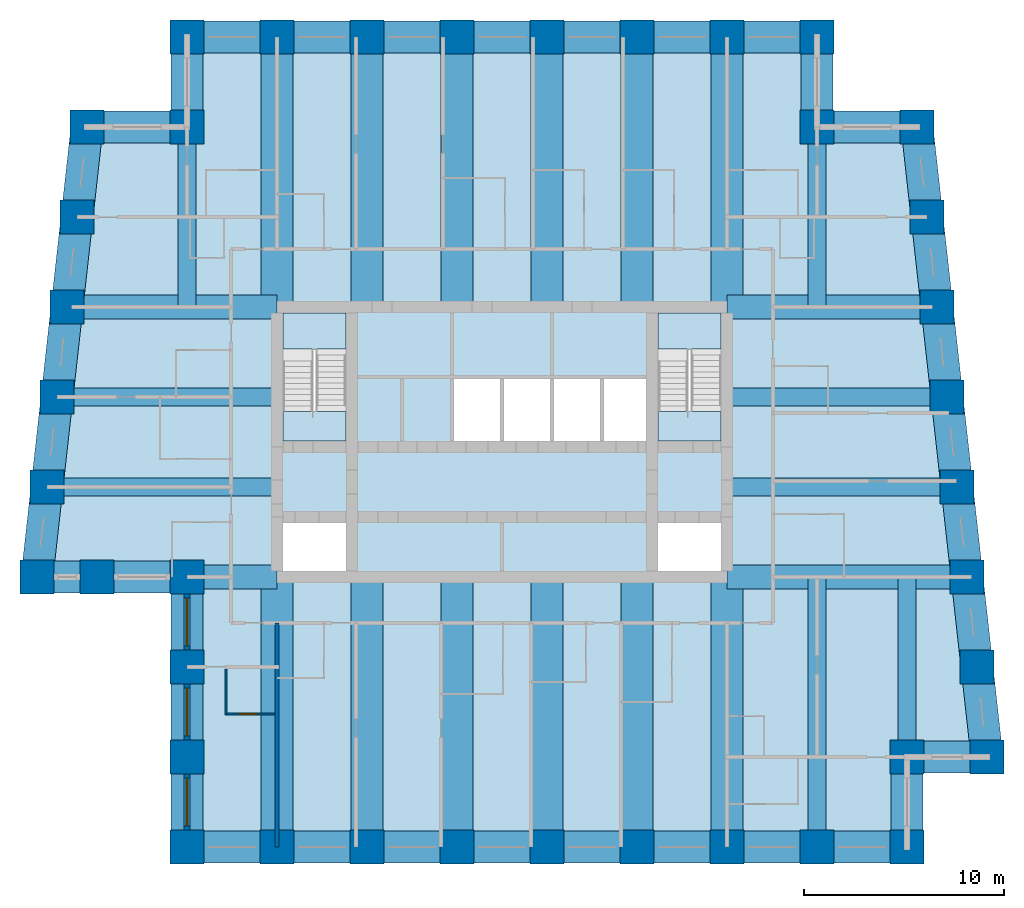
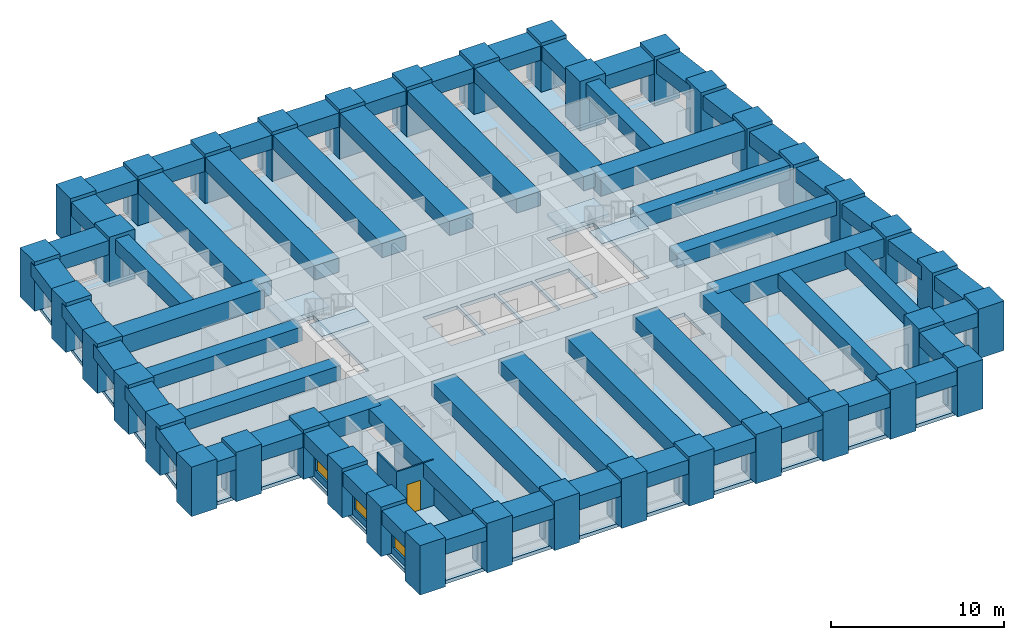
# One storey, part 1 of 8: 62 beams, 38 columns, 5 slabs, 4 walls, 3 windows, 1 door, 4 openings, 2 elements without a shape of their own.
"""IFC4 building model written with IfcOpenShell, lengths in metres."""

from ifc_helpers import new_model, si_unit, direction, frame, frame_2d, origin, origin_2d, place, context, subcontext, project, spatial, polyline, rectangle, outline, extrude, material, layer, layer_set, material_profile, profile_set, type_object, element, fill, aggregate, save


model = new_model("IFC4")

# Units and contexts
model_context = context("Model", 3, precision=1e-05, world=origin(), true_north=direction((0.0, 1.0)))
body_context = subcontext(model_context, "Body", "Model", "MODEL_VIEW")
ifc_project = project(units=[si_unit("LENGTHUNIT", "METRE"), si_unit("AREAUNIT", "SQUARE_METRE"), si_unit("VOLUMEUNIT", "CUBIC_METRE"), si_unit("PLANEANGLEUNIT", "RADIAN"), si_unit("MASSUNIT", "GRAM", prefix="KILO")], contexts=[model_context])

# Site, building, storey
site_placement = place(None, origin())
site = spatial("IfcSite", under=ifc_project, at=site_placement, CompositionType="ELEMENT")
building_placement = place(site_placement, origin())
building = spatial("IfcBuilding", under=site, at=building_placement, Name="Kilele Tower Hotel", CompositionType="ELEMENT")
storey_placement = place(building_placement, frame((0.0, 0.0, 172.89990234375)))
storey = spatial("IfcBuildingStorey", under=building, at=storey_placement, Name="L44", CompositionType="ELEMENT", Elevation=172.89990234375)

# Columns
ifc_material_1 = material(Name="Concrete C60/75", Category="concrete")
ifc_material_profile_1 = material_profile(ifc_material_1, rectangle(XDim=1.699951171875, YDim=1.699951171875, at=origin_2d()))
ifc_profile_set_1 = profile_set([ifc_material_profile_1], Name="Concrete C60/75")
column_type = type_object("IfcColumnType", Name="Tube column RC 1700x1700 C60/75", PredefinedType="COLUMN", material=ifc_profile_set_1)
for number, where, z_axis, x_axis, name in (
    (1, (1.5, 13.5, 0.0), (0.0, 0.0, 1.0), (1.0, 0.0, 0.0), "Column TC4 L44"),
    (2, (4.5, 13.5, 0.0), (0.0, 0.0, 1.0), (1.0, 0.0, 0.0), "Column TC4 L44"),
    (3, (9.0, 13.5, 0.0), (0.0, 0.0, 1.0), (1.0, 0.0, 0.0), "Column TC4 L44"),
    (4, (9.0, 9.0, 0.0), (0.0, 0.0, 1.0), (1.0, 0.0, 0.0), "Column TC4 L44"),
    (5, (9.0, 4.5, 0.0), (0.0, 0.0, 1.0), (1.0, 0.0, 0.0), "Column TC4 L44"),
    (6, (9.0, 0.0, 0.0), (0.0, 0.0, 1.0), (1.0, 0.0, 0.0), "Column TC4 L44"),
    (7, (13.5, 0.0, 0.0), (0.0, 0.0, 1.0), (1.0, 0.0, 0.0), "Column TC4 L44"),
    (8, (18.0, 0.0, 0.0), (0.0, 0.0, 1.0), (1.0, 0.0, 0.0), "Column TC4 L44"),
    (9, (22.5, 0.0, 0.0), (0.0, 0.0, 1.0), (1.0, 0.0, 0.0), "Column TC4 L44"),
    (10, (27.0, 0.0, 0.0), (0.0, 0.0, 1.0), (1.0, 0.0, 0.0), "Column TC4 L44"),
    (11, (31.5, 0.0, 0.0), (0.0, 0.0, 1.0), (1.0, 0.0, 0.0), "Column TC4 L44"),
    (12, (36.0, 0.0, 0.0), (0.0, 0.0, 1.0), (1.0, 0.0, 0.0), "Column TC4 L44"),
    (13, (40.5, 0.0, 0.0), (0.0, 0.0, 1.0), (1.0, 0.0, 0.0), "Column TC4 L44"),
    (14, (45.0, 0.0, 0.0), (0.0, 0.0, 1.0), (1.0, 0.0, 0.0), "Column TC4 L44"),
    (15, (45.0, 4.5, 0.0), (0.0, 0.0, 1.0), (1.0, 0.0, 0.0), "Column TC4 L44"),
    (16, (49.0, 4.5, 0.0), (0.0, 0.0, 1.0), (1.0, 0.0, 0.0), "Column TC4 L44"),
    (17, (48.5, 9.0, 0.0), (0.0, 0.0, 1.0), (1.0, 0.0, 0.0), "Column TC4 L44"),
    (18, (48.0, 13.5, 0.0), (0.0, 0.0, 1.0), (1.0, 0.0, 0.0), "Column TC4 L44"),
    (19, (47.5, 18.0, 0.0), (0.0, 0.0, 1.0), (1.0, 0.0, 0.0), "Column TC4 L44"),
    (20, (47.0, 22.5, 0.0), (0.0, 0.0, 1.0), (1.0, 0.0, 0.0), "Column TC4 L44"),
    (21, (46.5, 27.0, 0.0), (0.0, 0.0, 1.0), (1.0, 0.0, 0.0), "Column TC4 L44"),
    (22, (46.0, 31.5, 0.0), (0.0, 0.0, 1.0), (1.0, 0.0, 0.0), "Column TC4 L44"),
    (23, (45.5, 36.0, 0.0), (0.0, 0.0, 1.0), (1.0, 0.0, 0.0), "Column TC4 L44"),
    (24, (40.5, 36.0, 0.0), (0.0, 0.0, 1.0), (1.0, 0.0, 0.0), "Column TC4 L44"),
    (25, (40.5, 40.5, 0.0), (0.0, 0.0, 1.0), (1.0, 0.0, 0.0), "Column TC4 L44"),
    (26, (36.0, 40.5, 0.0), (0.0, 0.0, 1.0), (1.0, 0.0, 0.0), "Column TC4 L44"),
    (27, (31.5, 40.5, 0.0), (0.0, 0.0, 1.0), (1.0, 0.0, 0.0), "Column TC4 L44"),
    (28, (27.0, 40.5, 0.0), (0.0, 0.0, 1.0), (1.0, 0.0, 0.0), "Column TC4 L44"),
    (29, (22.5, 40.5, 0.0), (0.0, 0.0, 1.0), (1.0, 0.0, 0.0), "Column TC4 L44"),
    (30, (18.0, 40.5, 0.0), (0.0, 0.0, 1.0), (1.0, 0.0, 0.0), "Column TC4 L44"),
    (31, (13.5, 40.5, 0.0), (0.0, 0.0, 1.0), (1.0, 0.0, 0.0), "Column TC4 L44"),
    (32, (9.0, 40.5, 0.0), (0.0, 0.0, 1.0), (1.0, 0.0, 0.0), "Column TC4 L44"),
    (33, (9.0, 36.0, 0.0), (0.0, 0.0, 1.0), (1.0, 0.0, 0.0), "Column TC4 L44"),
    (34, (4.0, 36.0, 0.0), (0.0, 0.0, 1.0), (1.0, 0.0, 0.0), "Column TC4 L44"),
    (35, (3.5, 31.5, 0.0), (0.0, 0.0, 1.0), (1.0, 0.0, 0.0), "Column TC4 L44"),
    (36, (3.0, 27.0, 0.0), (0.0, 0.0, 1.0), (1.0, 0.0, 0.0), "Column TC4 L44"),
    (37, (2.5, 22.5, 0.0), (0.0, 0.0, 1.0), (1.0, 0.0, 0.0), "Column TC4 L44"),
    (38, (2.0, 18.0, 0.0), (0.0, 0.0, 1.0), (1.0, 0.0, 0.0), "Column TC4 L44"),
):
    element("IfcColumn", number, at=place(storey_placement, frame(where, z_axis=z_axis, x_axis=x_axis)), inside=storey, type_object=column_type, Name=name, PredefinedType="COLUMN", context=body_context, shape_type="SweptSolid", body=[
        extrude(rectangle(XDim=1.699951171875, YDim=1.699951171875, at=origin_2d()), origin(), (0.0, 0.0, 1.0), 3.5),
    ])

# Beams
ifc_material_2 = material(Name="Concrete C60/75", Category="concrete")
ifc_material_profile_2 = material_profile(ifc_material_2, rectangle(XDim=1.60009765625, YDim=1.0, at=origin_2d()))
ifc_profile_set_2 = profile_set([ifc_material_profile_2], Name="Concrete C60/75")
beam_type_1 = type_object("IfcBeamType", Name="Beam RC 1600x1000 C60/75", PredefinedType="BEAM", material=ifc_profile_set_2)
for number, where, z_axis, x_axis, name in (
    (39, (13.5, 0.0, 2.75), (0.0, 1.0, 0.0), (-1.0, 0.0, 0.0), "Beam BC1 level L45"),
    (40, (18.0, 0.0, 2.75), (0.0, 1.0, 0.0), (-1.0, 0.0, 0.0), "Beam BC1 level L45"),
    (41, (22.5, 0.0, 2.75), (0.0, 1.0, 0.0), (-1.0, 0.0, 0.0), "Beam BC1 level L45"),
    (42, (27.0, 0.0, 2.75), (0.0, 1.0, 0.0), (-1.0, 0.0, 0.0), "Beam BC1 level L45"),
    (43, (31.5, 0.0, 2.75), (0.0, 1.0, 0.0), (-1.0, 0.0, 0.0), "Beam BC1 level L45"),
    (44, (36.0, 0.0, 2.75), (0.0, 1.0, 0.0), (-1.0, 0.0, 0.0), "Beam BC1 level L45"),
    (45, (36.0, 40.5, 2.75), (0.0, -1.0, 0.0), (1.0, 0.0, 0.0), "Beam BC1 level L45"),
    (46, (31.5, 40.5, 2.75), (0.0, -1.0, 0.0), (1.0, 0.0, 0.0), "Beam BC1 level L45"),
    (47, (27.0, 40.5, 2.75), (0.0, -1.0, 0.0), (1.0, 0.0, 0.0), "Beam BC1 level L45"),
    (48, (22.5, 40.5, 2.75), (0.0, -1.0, 0.0), (1.0, 0.0, 0.0), "Beam BC1 level L45"),
    (49, (18.0, 40.5, 2.75), (0.0, -1.0, 0.0), (1.0, 0.0, 0.0), "Beam BC1 level L45"),
    (50, (13.5, 40.5, 2.75), (0.0, -1.0, 0.0), (1.0, 0.0, 0.0), "Beam BC1 level L45"),
):
    element("IfcBeam", number, at=place(storey_placement, frame(where, z_axis=z_axis, x_axis=x_axis)), inside=storey, type_object=beam_type_1, Name=name, PredefinedType="BEAM", context=body_context, shape_type="SweptSolid", body=[
        extrude(rectangle(XDim=1.60009765625, YDim=1.0, at=origin_2d()), origin(), (0.0, 0.0, 1.0), 13.5),
    ])
ifc_material_3 = material(Name="Concrete C60/75", Category="concrete")
ifc_material_profile_3 = material_profile(ifc_material_3, rectangle(XDim=0.89990234375, YDim=1.0, at=origin_2d()))
ifc_profile_set_3 = profile_set([ifc_material_profile_3], Name="Concrete C60/75")
beam_type_2 = type_object("IfcBeamType", Name="Beam RC 900x1000 C60/75", PredefinedType="BEAM", material=ifc_profile_set_3)
beam_1_placement = place(storey_placement, frame((40.5, 0.0, 2.75), z_axis=(0.0, 1.0, 0.0), x_axis=(-1.0, 0.0, 0.0)))
element("IfcBeam", 51, at=beam_1_placement, inside=storey, type_object=beam_type_2, Name="Beam B8 level L45", PredefinedType="BEAM", context=body_context, shape_type="SweptSolid", body=[
    extrude(rectangle(XDim=0.89990234375, YDim=1.0, at=origin_2d()), origin(), (0.0, 0.0, 1.0), 13.5),
])
beam_2_placement = place(storey_placement, frame((45.0, 4.5, 2.75), z_axis=(0.0, 1.0, 0.0), x_axis=(-1.0, 0.0, 0.0)))
element("IfcBeam", 52, at=beam_2_placement, inside=storey, type_object=beam_type_2, Name="Beam B8 level L45", PredefinedType="BEAM", context=body_context, shape_type="SweptSolid", body=[
    extrude(rectangle(XDim=0.89990234375, YDim=1.0, at=origin_2d()), origin(), (0.0, 0.0, 1.0), 9.0),
])
beam_3_placement = place(storey_placement, frame((47.5, 18.0, 2.75), z_axis=(-1.0, 0.0, 0.0), x_axis=(0.0, -1.0, 0.0)))
element("IfcBeam", 53, at=beam_3_placement, inside=storey, type_object=beam_type_2, Name="Beam B8 level L45", PredefinedType="BEAM", context=body_context, shape_type="SweptSolid", body=[
    extrude(rectangle(XDim=0.89990234375, YDim=1.0, at=origin_2d()), origin(), (0.0, 0.0, 1.0), 11.5),
])
beam_4_placement = place(storey_placement, frame((47.0, 22.5, 2.75), z_axis=(-1.0, 0.0, 0.0), x_axis=(0.0, -1.0, 0.0)))
element("IfcBeam", 54, at=beam_4_placement, inside=storey, type_object=beam_type_2, Name="Beam B8 level L45", PredefinedType="BEAM", context=body_context, shape_type="SweptSolid", body=[
    extrude(rectangle(XDim=0.89990234375, YDim=1.0, at=origin_2d()), origin(), (0.0, 0.0, 1.0), 11.0),
])
for number, where, z_axis, x_axis, name in (
    (55, (40.5, 36.0, 2.75), (0.0, -1.0, 0.0), (1.0, 0.0, 0.0), "Beam B8 level L45"),
    (56, (9.0, 36.0, 2.75), (0.0, -1.0, 0.0), (1.0, 0.0, 0.0), "Beam B8 level L45"),
):
    element("IfcBeam", number, at=place(storey_placement, frame(where, z_axis=z_axis, x_axis=x_axis)), inside=storey, type_object=beam_type_2, Name=name, PredefinedType="BEAM", context=body_context, shape_type="SweptSolid", body=[
        extrude(rectangle(XDim=0.89990234375, YDim=1.0, at=origin_2d()), origin(), (0.0, 0.0, 1.0), 9.0),
    ])
beam_5_placement = place(storey_placement, frame((2.5, 22.5, 2.75), z_axis=(1.0, 0.0, 0.0), x_axis=(0.0, 1.0, 0.0)))
element("IfcBeam", 57, at=beam_5_placement, inside=storey, type_object=beam_type_2, Name="Beam B8 level L45", PredefinedType="BEAM", context=body_context, shape_type="SweptSolid", body=[
    extrude(rectangle(XDim=0.89990234375, YDim=1.0, at=origin_2d()), origin(), (0.0, 0.0, 1.0), 11.0),
])
beam_6_placement = place(storey_placement, frame((2.0, 18.0, 2.75), z_axis=(1.0, 0.0, 0.0), x_axis=(0.0, 1.0, 0.0)))
element("IfcBeam", 58, at=beam_6_placement, inside=storey, type_object=beam_type_2, Name="Beam B8 level L45", PredefinedType="BEAM", context=body_context, shape_type="SweptSolid", body=[
    extrude(rectangle(XDim=0.89990234375, YDim=1.0, at=origin_2d()), origin(), (0.0, 0.0, 1.0), 11.5),
])
ifc_material_4 = material(Name="Concrete C60/75", Category="concrete")
ifc_material_profile_4 = material_profile(ifc_material_4, rectangle(XDim=1.199951171875, YDim=1.300048828125, at=origin_2d()))
ifc_profile_set_4 = profile_set([ifc_material_profile_4], Name="Concrete C60/75")
beam_type_3 = type_object("IfcBeamType", Name="Girder RC 1200x1300 C60/75", PredefinedType="BEAM", material=ifc_profile_set_4)
beam_7_placement = place(storey_placement, frame((48.0, 13.5, 2.60009765625), z_axis=(-1.0, 0.0, 0.0), x_axis=(0.0, -1.0, 0.0)))
element("IfcBeam", 59, at=beam_7_placement, inside=storey, type_object=beam_type_3, Name="Girder G1 level L45", PredefinedType="BEAM", context=body_context, shape_type="SweptSolid", body=[
    extrude(rectangle(XDim=1.199951171875, YDim=1.300048828125, at=origin_2d()), origin(), (0.0, 0.0, 1.0), 12.0),
])
ifc_material_5 = material(Name="Concrete C60/75", Category="concrete")
ifc_material_profile_5 = material_profile(ifc_material_5, rectangle(XDim=1.199951171875, YDim=1.300048828125, at=origin_2d()))
ifc_profile_set_5 = profile_set([ifc_material_profile_5], Name="Concrete C60/75")
beam_type_4 = type_object("IfcBeamType", Name="Girder RC 1200x1300 C60/75 mid span", PredefinedType="BEAM", material=ifc_profile_set_5)
for number, where, z_axis, x_axis, name in (
    (60, (46.5, 27.0, 2.60009765625), (-1.0, 0.0, 0.0), (0.0, -1.0, 0.0), "Girder G3 level L45"),
    (61, (3.0, 27.0, 2.60009765625), (1.0, 0.0, 0.0), (0.0, 1.0, 0.0), "Girder G3 level L45"),
):
    element("IfcBeam", number, at=place(storey_placement, frame(where, z_axis=z_axis, x_axis=x_axis)), inside=storey, type_object=beam_type_4, Name=name, PredefinedType="BEAM", context=body_context, shape_type="SweptSolid", body=[
        extrude(rectangle(XDim=1.199951171875, YDim=1.300048828125, at=origin_2d()), origin(), (0.0, 0.0, 1.0), 10.5),
    ])
ifc_material_6 = material(Name="Concrete C60/75", Category="concrete")
ifc_material_profile_6 = material_profile(ifc_material_6, rectangle(XDim=1.199951171875, YDim=1.300048828125, at=origin_2d()))
ifc_profile_set_6 = profile_set([ifc_material_profile_6], Name="Concrete C60/75")
beam_type_5 = type_object("IfcBeamType", Name="Girder RC 1200x1300 C60/75 short span", PredefinedType="BEAM", material=ifc_profile_set_6)
beam_8_placement = place(storey_placement, frame((9.0, 13.5, 2.60009765625), z_axis=(1.0, 0.0, 0.0), x_axis=(0.0, 1.0, 0.0)))
element("IfcBeam", 62, at=beam_8_placement, inside=storey, type_object=beam_type_5, Name="Girder G5 level L45", PredefinedType="BEAM", context=body_context, shape_type="SweptSolid", body=[
    extrude(rectangle(XDim=1.199951171875, YDim=1.300048828125, at=origin_2d()), origin(), (0.0, 0.0, 1.0), 4.5),
])
ifc_material_7 = material(Name="Concrete C60/75", Category="concrete")
ifc_material_profile_7 = material_profile(ifc_material_7, rectangle(XDim=1.60009765625, YDim=1.0, at=origin_2d()))
ifc_profile_set_7 = profile_set([ifc_material_profile_7], Name="Concrete C60/75")
beam_type_6 = type_object("IfcBeamType", Name="Spandrel RC 1600x1000 C60/75", PredefinedType="SPANDREL", material=ifc_profile_set_7)
beam_9_placement = place(storey_placement, frame((1.5, 13.5, 2.75), z_axis=(1.0, 0.0, 0.0), x_axis=(0.0, 1.0, 0.0)))
element("IfcBeam", 63, at=beam_9_placement, inside=storey, type_object=beam_type_6, Name="Spandrel SP2 level L45", PredefinedType="SPANDREL", context=body_context, shape_type="SweptSolid", body=[
    extrude(rectangle(XDim=1.60009765625, YDim=1.0, at=origin_2d()), origin(), (0.0, 0.0, 1.0), 3.0),
])
for number, where, z_axis, x_axis, name in (
    (64, (4.5, 13.5, 2.75), (1.0, 0.0, 0.0), (0.0, 1.0, 0.0), "Spandrel SP2 level L45"),
    (65, (9.0, 13.5, 2.75), (0.0, -1.0, 0.0), (1.0, 0.0, 0.0), "Spandrel SP2 level L45"),
    (66, (9.0, 9.0, 2.75), (0.0, -1.0, 0.0), (1.0, 0.0, 0.0), "Spandrel SP2 level L45"),
    (67, (9.0, 4.5, 2.75), (0.0, -1.0, 0.0), (1.0, 0.0, 0.0), "Spandrel SP2 level L45"),
    (68, (9.0, 0.0, 2.75), (1.0, 0.0, 0.0), (0.0, 1.0, 0.0), "Spandrel SP2 level L45"),
    (69, (13.5, 0.0, 2.75), (1.0, 0.0, 0.0), (0.0, 1.0, 0.0), "Spandrel SP2 level L45"),
    (70, (18.0, 0.0, 2.75), (1.0, 0.0, 0.0), (0.0, 1.0, 0.0), "Spandrel SP2 level L45"),
    (71, (22.5, 0.0, 2.75), (1.0, 0.0, 0.0), (0.0, 1.0, 0.0), "Spandrel SP2 level L45"),
    (72, (27.0, 0.0, 2.75), (1.0, 0.0, 0.0), (0.0, 1.0, 0.0), "Spandrel SP2 level L45"),
    (73, (31.5, 0.0, 2.75), (1.0, 0.0, 0.0), (0.0, 1.0, 0.0), "Spandrel SP2 level L45"),
    (74, (36.0, 0.0, 2.75), (1.0, 0.0, 0.0), (0.0, 1.0, 0.0), "Spandrel SP2 level L45"),
    (75, (40.5, 0.0, 2.75), (1.0, 0.0, 0.0), (0.0, 1.0, 0.0), "Spandrel SP2 level L45"),
    (76, (45.0, 0.0, 2.75), (0.0, 1.0, 0.0), (-1.0, 0.0, 0.0), "Spandrel SP2 level L45"),
):
    element("IfcBeam", number, at=place(storey_placement, frame(where, z_axis=z_axis, x_axis=x_axis)), inside=storey, type_object=beam_type_6, Name=name, PredefinedType="SPANDREL", context=body_context, shape_type="SweptSolid", body=[
        extrude(rectangle(XDim=1.60009765625, YDim=1.0, at=origin_2d()), origin(), (0.0, 0.0, 1.0), 4.5),
    ])
beam_10_placement = place(storey_placement, frame((45.0, 4.5, 2.75), z_axis=(1.0, 0.0, 0.0), x_axis=(0.0, 1.0, 0.0)))
element("IfcBeam", 77, at=beam_10_placement, inside=storey, type_object=beam_type_6, Name="Spandrel SP2 level L45", PredefinedType="SPANDREL", context=body_context, shape_type="SweptSolid", body=[
    extrude(rectangle(XDim=1.60009765625, YDim=1.0, at=origin_2d()), origin(), (0.0, 0.0, 1.0), 4.0),
])
for number, where, z_axis, x_axis, name in (
    (78, (49.0, 4.5, 2.75), (-0.110431526075, 0.993883734674, 0.0), (-0.993883734674, -0.110431526075, 0.0), "Spandrel SP2 level L45"),
    (79, (48.5, 9.0, 2.75), (-0.110431526075, 0.993883734674, 0.0), (-0.993883734674, -0.110431526075, 0.0), "Spandrel SP2 level L45"),
    (80, (48.0, 13.5, 2.75), (-0.110431526075, 0.993883734674, 0.0), (-0.993883734674, -0.110431526075, 0.0), "Spandrel SP2 level L45"),
    (81, (47.5, 18.0, 2.75), (-0.110431526075, 0.993883734674, 0.0), (-0.993883734674, -0.110431526075, 0.0), "Spandrel SP2 level L45"),
    (82, (47.0, 22.5, 2.75), (-0.110431526075, 0.993883734674, 0.0), (-0.993883734674, -0.110431526075, 0.0), "Spandrel SP2 level L45"),
    (83, (46.5, 27.0, 2.75), (-0.110431526075, 0.993883734674, 0.0), (-0.993883734674, -0.110431526075, 0.0), "Spandrel SP2 level L45"),
    (84, (46.0, 31.5, 2.75), (-0.110431526075, 0.993883734674, 0.0), (-0.993883734674, -0.110431526075, 0.0), "Spandrel SP2 level L45"),
):
    element("IfcBeam", number, at=place(storey_placement, frame(where, z_axis=z_axis, x_axis=x_axis)), inside=storey, type_object=beam_type_6, Name=name, PredefinedType="SPANDREL", context=body_context, shape_type="SweptSolid", body=[
        extrude(rectangle(XDim=1.60009765625, YDim=1.0, at=origin_2d()), origin(), (0.0, 0.0, 1.0), 4.527587890625),
    ])
beam_11_placement = place(storey_placement, frame((45.5, 36.0, 2.75), z_axis=(-1.0, 0.0, 0.0), x_axis=(0.0, -1.0, 0.0)))
element("IfcBeam", 85, at=beam_11_placement, inside=storey, type_object=beam_type_6, Name="Spandrel SP2 level L45", PredefinedType="SPANDREL", context=body_context, shape_type="SweptSolid", body=[
    extrude(rectangle(XDim=1.60009765625, YDim=1.0, at=origin_2d()), origin(), (0.0, 0.0, 1.0), 5.0),
])
for number, where, z_axis, x_axis, name in (
    (86, (40.5, 36.0, 2.75), (0.0, 1.0, 0.0), (-1.0, 0.0, 0.0), "Spandrel SP2 level L45"),
    (87, (40.5, 40.5, 2.75), (-1.0, 0.0, 0.0), (0.0, -1.0, 0.0), "Spandrel SP2 level L45"),
    (88, (36.0, 40.5, 2.75), (-1.0, 0.0, 0.0), (0.0, -1.0, 0.0), "Spandrel SP2 level L45"),
    (89, (31.5, 40.5, 2.75), (-1.0, 0.0, 0.0), (0.0, -1.0, 0.0), "Spandrel SP2 level L45"),
    (90, (27.0, 40.5, 2.75), (-1.0, 0.0, 0.0), (0.0, -1.0, 0.0), "Spandrel SP2 level L45"),
    (91, (22.5, 40.5, 2.75), (-1.0, 0.0, 0.0), (0.0, -1.0, 0.0), "Spandrel SP2 level L45"),
    (92, (18.0, 40.5, 2.75), (-1.0, 0.0, 0.0), (0.0, -1.0, 0.0), "Spandrel SP2 level L45"),
    (93, (13.5, 40.5, 2.75), (-1.0, 0.0, 0.0), (0.0, -1.0, 0.0), "Spandrel SP2 level L45"),
    (94, (9.0, 40.5, 2.75), (0.0, -1.0, 0.0), (1.0, 0.0, 0.0), "Spandrel SP2 level L45"),
):
    element("IfcBeam", number, at=place(storey_placement, frame(where, z_axis=z_axis, x_axis=x_axis)), inside=storey, type_object=beam_type_6, Name=name, PredefinedType="SPANDREL", context=body_context, shape_type="SweptSolid", body=[
        extrude(rectangle(XDim=1.60009765625, YDim=1.0, at=origin_2d()), origin(), (0.0, 0.0, 1.0), 4.5),
    ])
beam_12_placement = place(storey_placement, frame((9.0, 36.0, 2.75), z_axis=(-1.0, 0.0, 0.0), x_axis=(0.0, -1.0, 0.0)))
element("IfcBeam", 95, at=beam_12_placement, inside=storey, type_object=beam_type_6, Name="Spandrel SP2 level L45", PredefinedType="SPANDREL", context=body_context, shape_type="SweptSolid", body=[
    extrude(rectangle(XDim=1.60009765625, YDim=1.0, at=origin_2d()), origin(), (0.0, 0.0, 1.0), 5.0),
])
for number, where, z_axis, x_axis, name in (
    (96, (4.0, 36.0, 2.75), (-0.110431526075, -0.993883734674, 0.0), (0.993883734674, -0.110431526075, 0.0), "Spandrel SP2 level L45"),
    (97, (3.5, 31.5, 2.75), (-0.110431526075, -0.993883734674, 0.0), (0.993883734674, -0.110431526075, 0.0), "Spandrel SP2 level L45"),
    (98, (3.0, 27.0, 2.75), (-0.110431526075, -0.993883734674, 0.0), (0.993883734674, -0.110431526075, 0.0), "Spandrel SP2 level L45"),
    (99, (2.5, 22.5, 2.75), (-0.110431526075, -0.993883734674, 0.0), (0.993883734674, -0.110431526075, 0.0), "Spandrel SP2 level L45"),
    (100, (2.0, 18.0, 2.75), (-0.110431526075, -0.993883734674, 0.0), (0.993883734674, -0.110431526075, 0.0), "Spandrel SP2 level L45"),
):
    element("IfcBeam", number, at=place(storey_placement, frame(where, z_axis=z_axis, x_axis=x_axis)), inside=storey, type_object=beam_type_6, Name=name, PredefinedType="SPANDREL", context=body_context, shape_type="SweptSolid", body=[
        extrude(rectangle(XDim=1.60009765625, YDim=1.0, at=origin_2d()), origin(), (0.0, 0.0, 1.0), 4.527587890625),
    ])

# Slab
ifc_material_8 = material(Name="Concrete C60/75", Category="concrete")
ifc_layer_1 = layer(ifc_material_8, 0.25)
ifc_layer_set_1 = layer_set([ifc_layer_1], Name="Concrete C60/75")
slab_type_1 = type_object("IfcSlabType", Name="Floor slab 250", PredefinedType="FLOOR", material=ifc_layer_set_1)
slab_1_placement = place(storey_placement, frame((0.0, 0.0, -0.25)))
element("IfcSlab", 101, at=slab_1_placement, inside=storey, type_object=slab_type_1, Name="Floor slab L44", PredefinedType="FLOOR", context=body_context, shape_type="SweptSolid", body=[
    extrude(outline(polyline([(8.699951171875, 36.300048828125), (8.699951171875, 40.800048828125), (40.800048828125, 40.800048828125), (40.800048828125, 36.300048828125), (45.7685546875, 36.300048828125), (49.335205078125, 4.199951171875), (45.300048828125, 4.199951171875), (45.300048828125, -0.300048828125), (8.699951171875, -0.300048828125), (8.699951171875, 13.199951171875), (1.164794921875, 13.199951171875), (3.7314453125, 36.300048828125), (8.699951171875, 36.300048828125)]), holes=[polyline([(16.949951171875, 16.199951171875), (13.800048828125, 16.199951171875), (13.800048828125, 13.800048828125), (16.949951171875, 13.800048828125), (16.949951171875, 16.199951171875)]), polyline([(35.699951171875, 16.199951171875), (32.550048828125, 16.199951171875), (32.550048828125, 13.800048828125), (35.699951171875, 13.800048828125), (35.699951171875, 16.199951171875)]), polyline([(24.64990234375, 23.39990234375), (22.35009765625, 23.39990234375), (22.35009765625, 20.10009765625), (24.64990234375, 20.10009765625), (24.64990234375, 23.39990234375)]), polyline([(27.14990234375, 23.39990234375), (24.85009765625, 23.39990234375), (24.85009765625, 20.10009765625), (27.14990234375, 20.10009765625), (27.14990234375, 23.39990234375)]), polyline([(29.64990234375, 23.39990234375), (27.35009765625, 23.39990234375), (27.35009765625, 20.10009765625), (29.64990234375, 20.10009765625), (29.64990234375, 23.39990234375)]), polyline([(32.14990234375, 23.39990234375), (29.85009765625, 23.39990234375), (29.85009765625, 20.10009765625), (32.14990234375, 20.10009765625), (32.14990234375, 23.39990234375)]), polyline([(16.949951171875, 26.699951171875), (13.800048828125, 26.699951171875), (13.800048828125, 20.300048828125), (16.949951171875, 20.300048828125), (16.949951171875, 26.699951171875)]), polyline([(35.699951171875, 26.699951171875), (32.550048828125, 26.699951171875), (32.550048828125, 20.300048828125), (35.699951171875, 20.300048828125), (35.699951171875, 26.699951171875)])]), origin(), (0.0, 0.0, 1.0), 0.25),
])

# Stair, slabs
ifc_material_9 = material(Name="Precast concrete C40/50", Category="concrete")
stair_type = type_object("IfcStairType", Name="Stair 1475 x 3500", PredefinedType="HALF_TURN_STAIR", material=ifc_material_9)
stair_1_placement = place(storey_placement, origin())
stair_1 = element("IfcStair", 102, at=stair_1_placement, inside=storey, type_object=stair_type, Name="Stair 1 L44", PredefinedType="HALF_TURN_STAIR")
ifc_material_10 = material(Name="Precast concrete C40/50", Category="concrete")
ifc_layer_2 = layer(ifc_material_10, 0.199951171875)
ifc_layer_set_2 = layer_set([ifc_layer_2], Name="Precast concrete C40/50")
slab_type_2 = type_object("IfcSlabType", Name="Stair landing 200", PredefinedType="LANDING", material=ifc_layer_set_2)
slab_2_placement = place(storey_placement, frame((0.0, 0.0, 1.550048828125)))
slab_2 = element("IfcSlab", 103, at=slab_2_placement, type_object=slab_type_2, Name="ST1 landing 1", PredefinedType="LANDING", context=body_context, shape_type="SweptSolid", body=[
    extrude(outline(polyline([(13.800048828125, 24.89501953125), (16.949951171875, 24.89501953125), (16.949951171875, 26.699951171875), (13.800048828125, 26.699951171875), (13.800048828125, 24.89501953125)])), origin(), (0.0, 0.0, 1.0), 0.199951171875),
])
slab_3_placement = place(storey_placement, frame((0.0, 0.0, 3.300048828125)))
slab_3 = element("IfcSlab", 104, at=slab_3_placement, type_object=slab_type_2, Name="ST1 landing 2", PredefinedType="LANDING", context=body_context, shape_type="SweptSolid", body=[
    extrude(outline(polyline([(13.800048828125, 20.300048828125), (16.949951171875, 20.300048828125), (16.949951171875, 21.77490234375), (13.800048828125, 21.77490234375), (13.800048828125, 20.300048828125)])), origin(), (0.0, 0.0, 1.0), 0.199951171875),
])
aggregate(stair_1, [slab_2, slab_3])

stair_2_placement = place(storey_placement, origin())
stair_2 = element("IfcStair", 105, at=stair_2_placement, inside=storey, type_object=stair_type, Name="Stair 2 L44", PredefinedType="HALF_TURN_STAIR")
slab_4_placement = place(storey_placement, frame((0.0, 0.0, 1.550048828125)))
slab_4 = element("IfcSlab", 106, at=slab_4_placement, type_object=slab_type_2, Name="ST2 landing 1", PredefinedType="LANDING", context=body_context, shape_type="SweptSolid", body=[
    extrude(outline(polyline([(32.550048828125, 24.89501953125), (35.699951171875, 24.89501953125), (35.699951171875, 26.699951171875), (32.550048828125, 26.699951171875), (32.550048828125, 24.89501953125)])), origin(), (0.0, 0.0, 1.0), 0.199951171875),
])
slab_5_placement = place(storey_placement, frame((0.0, 0.0, 3.300048828125)))
slab_5 = element("IfcSlab", 107, at=slab_5_placement, type_object=slab_type_2, Name="ST2 landing 2", PredefinedType="LANDING", context=body_context, shape_type="SweptSolid", body=[
    extrude(outline(polyline([(32.550048828125, 20.300048828125), (35.699951171875, 20.300048828125), (35.699951171875, 21.77490234375), (32.550048828125, 21.77490234375), (32.550048828125, 20.300048828125)])), origin(), (0.0, 0.0, 1.0), 0.199951171875),
])
aggregate(stair_2, [slab_4, slab_5])

# Wall
ifc_material_11 = material(Name="Moisture-resistant board")
ifc_layer_3 = layer(ifc_material_11, 0.10009765625)
ifc_layer_set_3 = layer_set([ifc_layer_3], Name="Moisture-resistant board")
wall_type_1 = type_object("IfcWallType", Name="Bathroom partition 100", PredefinedType="PLUMBINGWALL", material=ifc_layer_set_3)
wall_1_placement = place(storey_placement, frame((10.949951171875, 8.89990234375, 0.0), z_axis=(0.0, 0.0, 1.0), x_axis=(0.0, -1.0, 0.0)))
element("IfcWall", 108, at=wall_1_placement, inside=storey, type_object=wall_type_1, Name="Bathroom partition 100 L44", PredefinedType="PLUMBINGWALL", context=body_context, shape_type="SweptSolid", body=[
    extrude(rectangle(XDim=2.2998046875, YDim=0.10009765625, at=frame_2d((1.14990234375, 0.0))), origin(), (0.0, 0.0, 1.0), 3.25),
])

# Wall, opening, door
wall_2_placement = place(storey_placement, frame((13.39990234375, 6.64990234375, 0.0), z_axis=(0.0, 0.0, 1.0), x_axis=(-1.0, 0.0, 0.0)))
wall_2 = element("IfcWall", 109, at=wall_2_placement, inside=storey, type_object=wall_type_1, Name="Bathroom partition 100 L44", PredefinedType="PLUMBINGWALL", context=body_context, shape_type="SweptSolid", body=[
    extrude(rectangle(XDim=2.5, YDim=0.10009765625, at=frame_2d((1.25, 0.0))), origin(), (0.0, 0.0, 1.0), 3.25),
])
opening_1_placement = place(wall_2_placement, frame((0.89990234375, 0.0, 0.0)))
opening_1 = element("IfcOpeningElement", 110, at=opening_1_placement, cuts=wall_2, Name="Opening D2A", PredefinedType="OPENING", context=body_context, shape_type="SweptSolid", body=[
    extrude(rectangle(XDim=0.89990234375, YDim=2.10009765625, at=frame_2d((0.449951171875, 1.050048828125))), frame((0.0, 0.06005859375, 0.0), z_axis=(0.0, -1.0, 0.0), x_axis=(1.0, 0.0, 0.0)), (0.0, 0.0, 1.0), 0.1201171875),
])
ifc_material_12 = material(Name="Timber door leaf in hardwood frame", Category="wood")
door_type = type_object("IfcDoorType", Name="Bathroom door 900", OperationType="SINGLE_SWING_LEFT", PredefinedType="DOOR", material=ifc_material_12)
door_placement = place(opening_1_placement, origin())
door = element("IfcDoor", 111, at=door_placement, inside=storey, type_object=door_type, Name="Bathroom door 4418B", OperationType="SINGLE_SWING_LEFT", OverallHeight=2.10009765625, OverallWidth=0.89990234375, PredefinedType="DOOR", context=body_context, shape_type="SweptSolid", body=[
    extrude(rectangle(XDim=0.89990234375, YDim=2.10009765625, at=frame_2d((0.449951171875, 1.050048828125))), frame((0.0, 0.02490234375, 0.0), z_axis=(0.0, -1.0, 0.0), x_axis=(1.0, 0.0, 0.0)), (0.0, 0.0, 1.0), 0.050048828125),
])
fill(opening_1, door)

# Wall
ifc_material_13 = material(Name="Blockwork, plastered both sides", Category="masonry")
ifc_layer_4 = layer(ifc_material_13, 0.199951171875)
ifc_layer_set_4 = layer_set([ifc_layer_4], Name="Blockwork, plastered both sides")
wall_type_2 = type_object("IfcWallType", Name="Party wall 200", PredefinedType="PARTITIONING", material=ifc_layer_set_4)
wall_3_placement = place(storey_placement, frame((13.5, 11.199951171875, 0.0), z_axis=(0.0, 0.0, 1.0), x_axis=(0.0, -1.0, 0.0)))
element("IfcWall", 112, at=wall_3_placement, inside=storey, type_object=wall_type_2, Name="Party wall 200 L44", PredefinedType="PARTITIONING", context=body_context, shape_type="SweptSolid", body=[
    extrude(rectangle(XDim=11.199951171875, YDim=0.199951171875, at=frame_2d((5.60009765625, 0.0))), origin(), (0.0, 0.0, 1.0), 2.25),
])

# Wall, openings, windows
ifc_material_14 = material(Name="Concrete C40/50 precast", Category="concrete")
ifc_layer_5 = layer(ifc_material_14, 0.260009765625, Name="Precast backing", Category="LoadBearing")
ifc_material_15 = material(Name="Reconstituted stone finish", Category="masonry")
ifc_layer_6 = layer(ifc_material_15, 0.0400390625, Name="Face mix", Category="Finish")
ifc_layer_set_5 = layer_set([ifc_layer_5, ifc_layer_6], Name="Precast concrete C40/50, reconstituted stone finish")
wall_type_3 = type_object("IfcWallType", Name="Precast stone facade wall 300", PredefinedType="STANDARD", material=ifc_layer_set_5)
wall_4_placement = place(storey_placement, frame((9.0, 13.64990234375, 0.0), z_axis=(0.0, 0.0, 1.0), x_axis=(0.0, -1.0, 0.0)))
wall_4 = element("IfcWall", 113, at=wall_4_placement, inside=storey, type_object=wall_type_3, Name="Facade wall L44 edge 2", PredefinedType="STANDARD", context=body_context, shape_type="SweptSolid", body=[
    extrude(rectangle(XDim=13.7998046875, YDim=0.300048828125, at=frame_2d((6.89990234375, 0.0))), origin(), (0.0, 0.0, 1.0), 2.25),
])
opening_2_placement = place(wall_4_placement, frame((1.199951171875, 0.0, 0.5)))
opening_2 = element("IfcOpeningElement", 114, at=opening_2_placement, cuts=wall_4, Name="Opening W3", PredefinedType="OPENING", context=body_context, shape_type="SweptSolid", body=[
    extrude(rectangle(XDim=2.39990234375, YDim=1.60009765625, at=frame_2d((1.199951171875, 0.800048828125))), frame((0.0, 0.159912109375, 0.0), z_axis=(0.0, -1.0, 0.0), x_axis=(1.0, 0.0, 0.0)), (0.0, 0.0, 1.0), 0.320068359375),
])
opening_3_placement = place(wall_4_placement, frame((5.699951171875, 0.0, 0.5)))
opening_3 = element("IfcOpeningElement", 115, at=opening_3_placement, cuts=wall_4, Name="Opening W3", PredefinedType="OPENING", context=body_context, shape_type="SweptSolid", body=[
    extrude(rectangle(XDim=2.39990234375, YDim=1.60009765625, at=frame_2d((1.199951171875, 0.800048828125))), frame((0.0, 0.159912109375, 0.0), z_axis=(0.0, -1.0, 0.0), x_axis=(1.0, 0.0, 0.0)), (0.0, 0.0, 1.0), 0.320068359375),
])
opening_4_placement = place(wall_4_placement, frame((10.199951171875, 0.0, 0.5)))
opening_4 = element("IfcOpeningElement", 116, at=opening_4_placement, cuts=wall_4, Name="Opening W3", PredefinedType="OPENING", context=body_context, shape_type="SweptSolid", body=[
    extrude(rectangle(XDim=2.39990234375, YDim=1.60009765625, at=frame_2d((1.199951171875, 0.800048828125))), frame((0.0, 0.159912109375, 0.0), z_axis=(0.0, -1.0, 0.0), x_axis=(1.0, 0.0, 0.0)), (0.0, 0.0, 1.0), 0.320068359375),
])
ifc_material_16 = material(Name="Aluminium frame, clear double glazing", Category="aluminium")
window_type = type_object("IfcWindowType", Name="Window W3 2400 x 1600", PartitioningType="SINGLE_PANEL", PredefinedType="WINDOW", material=ifc_material_16)
window_1_placement = place(opening_2_placement, origin())
window_1 = element("IfcWindow", 117, at=window_1_placement, inside=storey, type_object=window_type, Name="Window L44", OverallHeight=1.60009765625, OverallWidth=2.39990234375, PartitioningType="SINGLE_PANEL", PredefinedType="WINDOW", context=body_context, shape_type="SweptSolid", body=[
    extrude(rectangle(XDim=2.39990234375, YDim=1.60009765625, at=frame_2d((1.199951171875, 0.800048828125))), frame((0.0, 0.030029296875, 0.0), z_axis=(0.0, -1.0, 0.0), x_axis=(1.0, 0.0, 0.0)), (0.0, 0.0, 1.0), 0.06005859375),
])
fill(opening_2, window_1)
window_2_placement = place(opening_3_placement, origin())
window_2 = element("IfcWindow", 118, at=window_2_placement, inside=storey, type_object=window_type, Name="Window L44", OverallHeight=1.60009765625, OverallWidth=2.39990234375, PartitioningType="SINGLE_PANEL", PredefinedType="WINDOW", context=body_context, shape_type="SweptSolid", body=[
    extrude(rectangle(XDim=2.39990234375, YDim=1.60009765625, at=frame_2d((1.199951171875, 0.800048828125))), frame((0.0, 0.030029296875, 0.0), z_axis=(0.0, -1.0, 0.0), x_axis=(1.0, 0.0, 0.0)), (0.0, 0.0, 1.0), 0.06005859375),
])
fill(opening_3, window_2)
window_3_placement = place(opening_4_placement, origin())
window_3 = element("IfcWindow", 119, at=window_3_placement, inside=storey, type_object=window_type, Name="Window L44", OverallHeight=1.60009765625, OverallWidth=2.39990234375, PartitioningType="SINGLE_PANEL", PredefinedType="WINDOW", context=body_context, shape_type="SweptSolid", body=[
    extrude(rectangle(XDim=2.39990234375, YDim=1.60009765625, at=frame_2d((1.199951171875, 0.800048828125))), frame((0.0, 0.030029296875, 0.0), z_axis=(0.0, -1.0, 0.0), x_axis=(1.0, 0.0, 0.0)), (0.0, 0.0, 1.0), 0.06005859375),
])
fill(opening_4, window_3)

save(model, "model.ifc")
